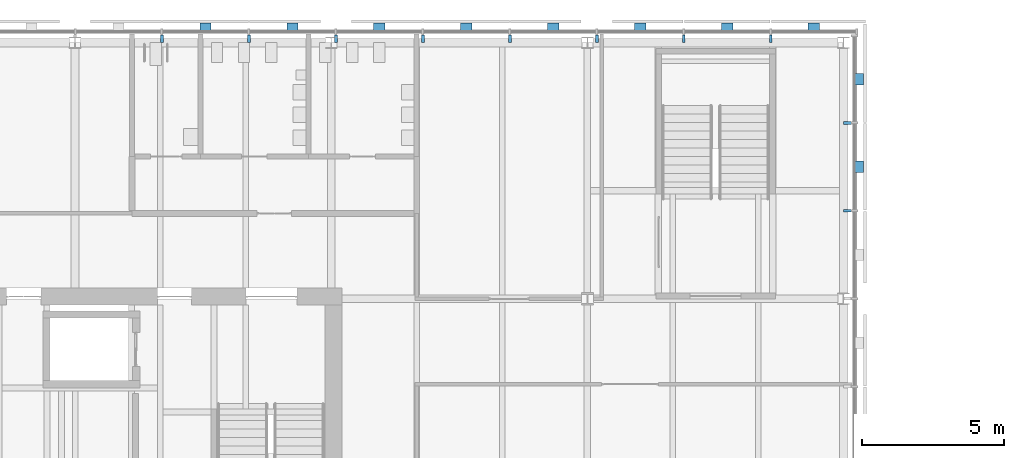
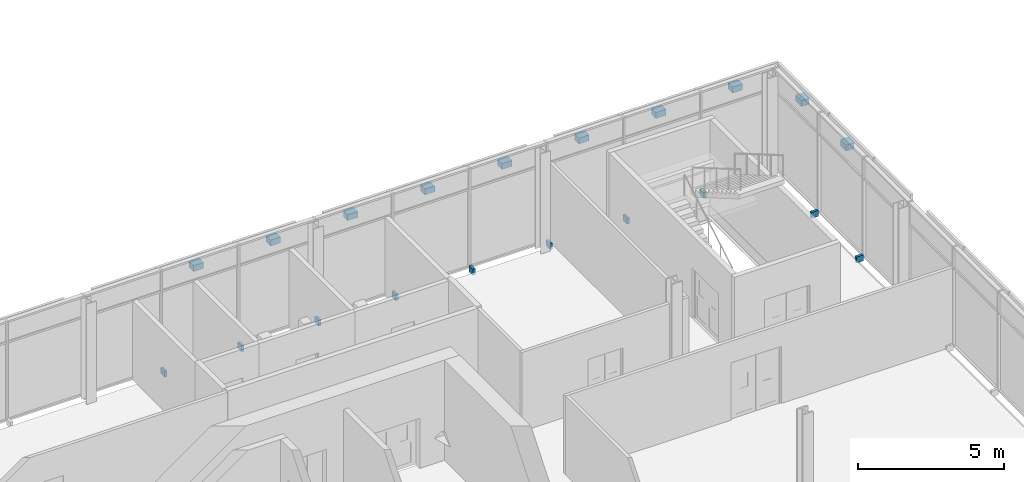
# One storey, part 99 of 123: 20 discrete accessories.
"""IFC4 building model written with IfcOpenShell, lengths in metres."""

from ifc_helpers import new_model, si_unit, direction, frame, origin, origin_2d, place, context, subcontext, project, spatial, rectangle, extrude, material, type_object, element, save


model = new_model("IFC4")

# Units and contexts
model_context = context("Model", 3, precision=1e-05, world=origin(), true_north=direction((0.0, 1.0)))
body_context = subcontext(model_context, "Body", "Model", "MODEL_VIEW")
ifc_project = project(units=[si_unit("LENGTHUNIT", "METRE"), si_unit("AREAUNIT", "SQUARE_METRE"), si_unit("VOLUMEUNIT", "CUBIC_METRE"), si_unit("PLANEANGLEUNIT", "RADIAN"), si_unit("MASSUNIT", "GRAM", prefix="KILO")], contexts=[model_context])

# Site, building, storey
site_placement = place(None, origin())
site = spatial("IfcSite", under=ifc_project, at=site_placement, CompositionType="ELEMENT")
building_placement = place(site_placement, origin())
building = spatial("IfcBuilding", under=site, at=building_placement, Name="Baradari Gate Terminus", CompositionType="ELEMENT")
storey_placement = place(building_placement, frame((0.0, 0.0, 7.5)))
storey = spatial("IfcBuildingStorey", under=building, at=storey_placement, Name="L01", CompositionType="ELEMENT", Elevation=7.5)

# Discrete accessories
ifc_material_1 = material(Name="Aluminium 6063-T6", Category="aluminium")
discrete_accessory_type_1 = type_object("IfcDiscreteAccessoryType", Name="Curtain wall bracket BK-1 100x250", PredefinedType="BRACKET", material=ifc_material_1)
for number, where, z_axis, x_axis, name in (
    (1, (39.054931640625, 144.135009765625, -0.10009765625), (0.0, 0.0, 1.0), (0.0, 1.0, 0.0), "Curtain wall bracket BK-1 L01/TN mullion 11"),
    (2, (42.110107421875, 144.135009765625, -0.10009765625), (0.0, 0.0, 1.0), (0.0, 1.0, 0.0), "Curtain wall bracket BK-1 L01/TN mullion 12"),
    (3, (45.1650390625, 144.135009765625, -0.10009765625), (0.0, 0.0, 1.0), (0.0, 1.0, 0.0), "Curtain wall bracket BK-1 L01/TN mullion 13"),
    (4, (48.219970703125, 144.135009765625, -0.10009765625), (0.0, 0.0, 1.0), (0.0, 1.0, 0.0), "Curtain wall bracket BK-1 L01/TN mullion 14"),
    (5, (51.27490234375, 144.135009765625, -0.10009765625), (0.0, 0.0, 1.0), (0.0, 1.0, 0.0), "Curtain wall bracket BK-1 L01/TN mullion 15"),
    (6, (54.330078125, 144.135009765625, -0.10009765625), (0.0, 0.0, 1.0), (0.0, 1.0, 0.0), "Curtain wall bracket BK-1 L01/TN mullion 16"),
    (7, (57.385009765625, 144.135009765625, -0.10009765625), (0.0, 0.0, 1.0), (0.0, 1.0, 0.0), "Curtain wall bracket BK-1 L01/TN mullion 17"),
    (8, (60.43994140625, 144.135009765625, -0.10009765625), (0.0, 0.0, 1.0), (0.0, 1.0, 0.0), "Curtain wall bracket BK-1 L01/TN mullion 18"),
    (9, (63.135009765625, 138.094482421875, -0.10009765625), (0.0, 0.0, 1.0), (1.0, 0.0, 0.0), "Curtain wall bracket BK-1 L01/TE mullion 8"),
    (10, (63.135009765625, 141.18212890625, -0.10009765625), (0.0, 0.0, 1.0), (1.0, 0.0, 0.0), "Curtain wall bracket BK-1 L01/TE mullion 9"),
):
    element("IfcDiscreteAccessory", number, at=place(storey_placement, frame(where, z_axis=z_axis, x_axis=x_axis)), inside=storey, type_object=discrete_accessory_type_1, Name=name, PredefinedType="BRACKET", context=body_context, shape_type="SweptSolid", body=[
        extrude(rectangle(XDim=0.27001953125, YDim=0.10009765625, at=origin_2d()), origin(), (0.0, 0.0, 1.0), 0.25),
    ])
ifc_material_2 = material(Name="Stainless steel 316", Category="steel")
discrete_accessory_type_2 = type_object("IfcDiscreteAccessoryType", Name="Jali screen bracket BK-2 stainless steel", PredefinedType="BRACKET", material=ifc_material_2)
for number, where, z_axis, x_axis, name in (
    (11, (40.58251953125, 144.543701171875, 3.607421875), (0.0, 0.0, 1.0), (0.0, 1.0, 0.0), "Jali screen bracket BK-2 L01/TN bay 11"),
    (12, (43.637451171875, 144.543701171875, 3.607421875), (0.0, 0.0, 1.0), (0.0, 1.0, 0.0), "Jali screen bracket BK-2 L01/TN bay 12"),
    (13, (46.6923828125, 144.543701171875, 3.607421875), (0.0, 0.0, 1.0), (0.0, 1.0, 0.0), "Jali screen bracket BK-2 L01/TN bay 13"),
    (14, (49.74755859375, 144.543701171875, 3.607421875), (0.0, 0.0, 1.0), (0.0, 1.0, 0.0), "Jali screen bracket BK-2 L01/TN bay 14"),
    (15, (52.802490234375, 144.543701171875, 3.607421875), (0.0, 0.0, 1.0), (0.0, 1.0, 0.0), "Jali screen bracket BK-2 L01/TN bay 15"),
    (16, (55.857421875, 144.543701171875, 3.607421875), (0.0, 0.0, 1.0), (0.0, 1.0, 0.0), "Jali screen bracket BK-2 L01/TN bay 16"),
    (17, (58.91259765625, 144.543701171875, 3.607421875), (0.0, 0.0, 1.0), (0.0, 1.0, 0.0), "Jali screen bracket BK-2 L01/TN bay 17"),
    (18, (61.949951171875, 144.543701171875, 3.607421875), (0.0, 0.0, 1.0), (0.0, 1.0, 0.0), "Jali screen bracket BK-2 L01/TN bay 18"),
    (19, (63.543701171875, 139.638427734375, 3.607421875), (0.0, 0.0, 1.0), (1.0, 0.0, 0.0), "Jali screen bracket BK-2 L01/TE bay 8"),
    (20, (63.543701171875, 142.70849609375, 3.607421875), (0.0, 0.0, 1.0), (1.0, 0.0, 0.0), "Jali screen bracket BK-2 L01/TE bay 9"),
):
    element("IfcDiscreteAccessory", number, at=place(storey_placement, frame(where, z_axis=z_axis, x_axis=x_axis)), inside=storey, type_object=discrete_accessory_type_2, Name=name, PredefinedType="BRACKET", context=body_context, shape_type="SweptSolid", body=[
        extrude(rectangle(XDim=0.302490234375, YDim=0.39990234375, at=origin_2d()), origin(), (0.0, 0.0, 1.0), 0.25),
    ])

save(model, "model.ifc")
